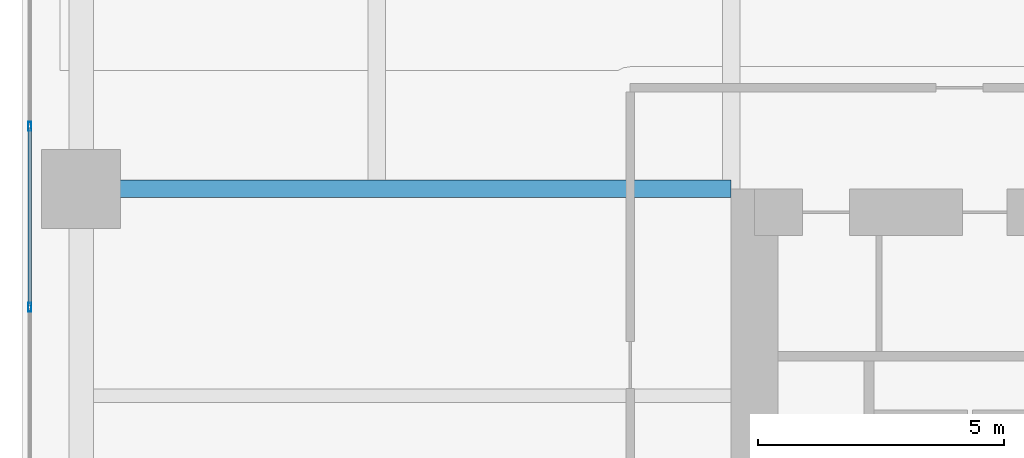
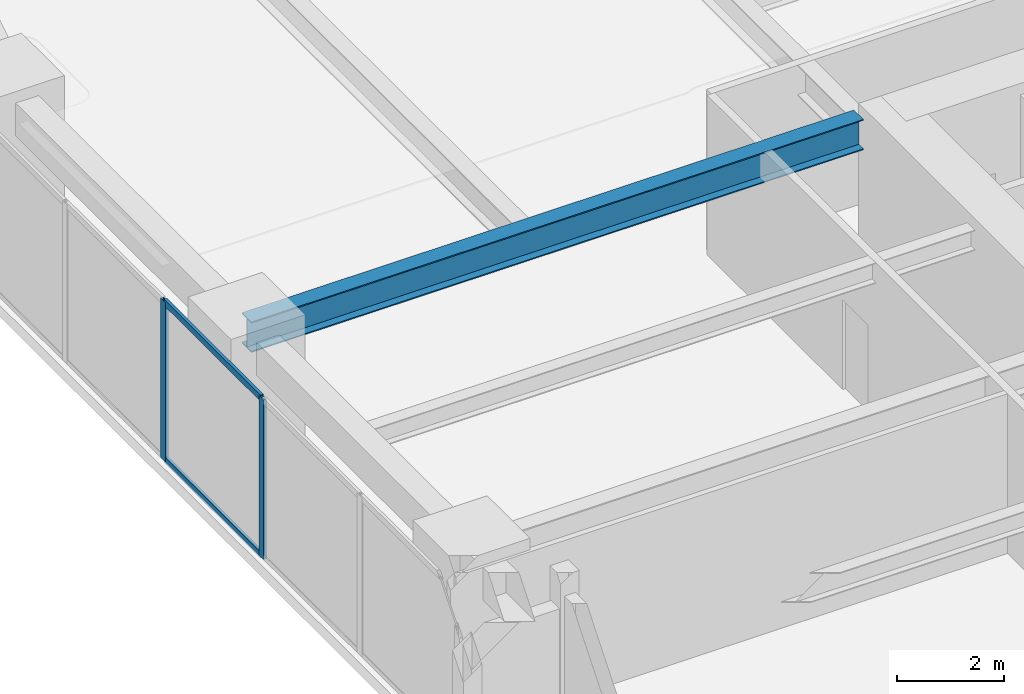
# One storey, part 11 of 29: 4 members, 1 beam, 1 element without a shape of its own.
"""IFC4 building model written with IfcOpenShell, lengths in metres."""

from ifc_helpers import new_model, si_unit, direction, frame, origin, origin_2d, place, context, subcontext, project, spatial, hollow_rectangle, i_section, extrude, material, layer, layer_set, material_profile, profile_set, type_object, element, aggregate, save


model = new_model("IFC4")

# Units and contexts
model_context = context("Model", 3, precision=1e-05, world=origin(), true_north=direction((0.0, 1.0)))
body_context = subcontext(model_context, "Body", "Model", "MODEL_VIEW")
ifc_project = project(units=[si_unit("LENGTHUNIT", "METRE"), si_unit("AREAUNIT", "SQUARE_METRE"), si_unit("VOLUMEUNIT", "CUBIC_METRE"), si_unit("PLANEANGLEUNIT", "RADIAN"), si_unit("MASSUNIT", "GRAM", prefix="KILO")], contexts=[model_context])

# Site, building, storey
site_placement = place(None, origin())
site = spatial("IfcSite", under=ifc_project, at=site_placement, CompositionType="ELEMENT")
building_placement = place(site_placement, origin())
building = spatial("IfcBuilding", under=site, at=building_placement, Name="Kiyonajd Concourse Tower", CompositionType="ELEMENT")
storey_placement = place(building_placement, frame((0.0, 0.0, 29.39990234375)))
storey = spatial("IfcBuildingStorey", under=building, at=storey_placement, Name="L08", CompositionType="ELEMENT", Elevation=29.39990234375)

# Beam
ifc_material_1 = material(Name="Steel ASTM A992 Grade 50", Category="steel")
ifc_material_profile_1 = material_profile(ifc_material_1, i_section(OverallWidth=0.35498046875, OverallDepth=0.695068359375, WebThickness=0.015380859375, FlangeThickness=0.02490234375, at=origin_2d()), Name="W690X217")
ifc_profile_set_1 = profile_set([ifc_material_profile_1], Name="Steel ASTM A992 Grade 50")
beam_type = type_object("IfcBeamType", Name="BM-TWR-690", PredefinedType="BEAM", material=ifc_profile_set_1)
beam_placement = place(storey_placement, frame((19.199951171875, 44.39990234375, 3.29248046875), z_axis=(1.0, 0.0, 0.0), x_axis=(0.0, 1.0, 0.0)))
element("IfcBeam", 1, at=beam_placement, inside=storey, type_object=beam_type, Name="L08 West Lease Girder", PredefinedType="BEAM", context=body_context, shape_type="SweptSolid", body=[
    extrude(i_section(OverallWidth=0.35498046875, OverallDepth=0.695068359375, WebThickness=0.015380859375, FlangeThickness=0.02490234375, at=origin_2d()), origin(), (0.0, 0.0, 1.0), 13.199951171875),
])

# Curtain wall, members
ifc_material_2 = material(Name="Thermally Broken Anodised Aluminium", Category="aluminium")
ifc_layer = layer(ifc_material_2, 0.179931640625)
ifc_layer_set = layer_set([ifc_layer], Name="Thermally Broken Anodised Aluminium")
curtain_wall_type = type_object("IfcCurtainWallType", Name="CW-SYS-02", PredefinedType="NOTDEFINED", material=ifc_layer_set)
curtain_wall_placement = place(storey_placement, origin())
curtain_wall = element("IfcCurtainWall", 2, at=curtain_wall_placement, inside=storey, type_object=curtain_wall_type, Name="L08 Unitised Curtain Wall CW2", PredefinedType="NOTDEFINED")
ifc_material_profile_2 = material_profile(ifc_material_2, hollow_rectangle(XDim=0.06494140625, YDim=0.179931640625, WallThickness=0.00390625, at=origin_2d()), Name="MULL-65x180")
ifc_profile_set_2 = profile_set([ifc_material_profile_2], Name="Thermally Broken Anodised Aluminium")
member_type_1 = type_object("IfcMemberType", Name="MB-CW-MULL1", PredefinedType="MULLION", material=ifc_profile_set_2)
member_1_placement = place(storey_placement, frame((18.159912109375, 41.996337890625, 0.0), z_axis=(0.0, 0.0, 1.0), x_axis=(-1.0, 0.0, 0.0)))
member_1 = element("IfcMember", 3, at=member_1_placement, type_object=member_type_1, Name="CW2 mullion 3", PredefinedType="MULLION", context=body_context, shape_type="SweptSolid", body=[
    extrude(hollow_rectangle(XDim=0.06494140625, YDim=0.179931640625, WallThickness=0.00390625, at=origin_2d()), origin(), (0.0, 0.0, 1.0), 3.64013671875),
])
member_2_placement = place(storey_placement, frame((18.159912109375, 45.66943359375, 0.0), z_axis=(0.0, 0.0, 1.0), x_axis=(-1.0, 0.0, 0.0)))
member_2 = element("IfcMember", 4, at=member_2_placement, type_object=member_type_1, Name="CW2 mullion 4", PredefinedType="MULLION", context=body_context, shape_type="SweptSolid", body=[
    extrude(hollow_rectangle(XDim=0.06494140625, YDim=0.179931640625, WallThickness=0.00390625, at=origin_2d()), origin(), (0.0, 0.0, 1.0), 3.64013671875),
])
ifc_material_profile_3 = material_profile(ifc_material_2, hollow_rectangle(XDim=0.06494140625, YDim=0.139892578125, WallThickness=0.00390625, at=origin_2d()), Name="TRAN-65x140")
ifc_profile_set_3 = profile_set([ifc_material_profile_3], Name="Thermally Broken Anodised Aluminium")
member_type_2 = type_object("IfcMemberType", Name="MB-CW-TRAN1", PredefinedType="USERDEFINED", material=ifc_profile_set_3)
member_3_placement = place(storey_placement, frame((18.159912109375, 42.02880859375, 0.03271484375), z_axis=(0.0, 1.0, 0.0), x_axis=(-1.0, 0.0, 0.0)))
member_3 = element("IfcMember", 5, at=member_3_placement, type_object=member_type_2, Name="CW2 transom 3.1", ObjectType="TRANSOM", PredefinedType="USERDEFINED", context=body_context, shape_type="SweptSolid", body=[
    extrude(hollow_rectangle(XDim=0.06494140625, YDim=0.139892578125, WallThickness=0.00390625, at=origin_2d()), origin(), (0.0, 0.0, 1.0), 3.608154296875),
])
member_4_placement = place(storey_placement, frame((18.159912109375, 42.02880859375, 3.607666015625), z_axis=(0.0, 1.0, 0.0), x_axis=(-1.0, 0.0, 0.0)))
member_4 = element("IfcMember", 6, at=member_4_placement, type_object=member_type_2, Name="CW2 transom 3.2", ObjectType="TRANSOM", PredefinedType="USERDEFINED", context=body_context, shape_type="SweptSolid", body=[
    extrude(hollow_rectangle(XDim=0.06494140625, YDim=0.139892578125, WallThickness=0.00390625, at=origin_2d()), origin(), (0.0, 0.0, 1.0), 3.608154296875),
])
aggregate(curtain_wall, [member_1, member_2, member_3, member_4])

save(model, "model.ifc")
